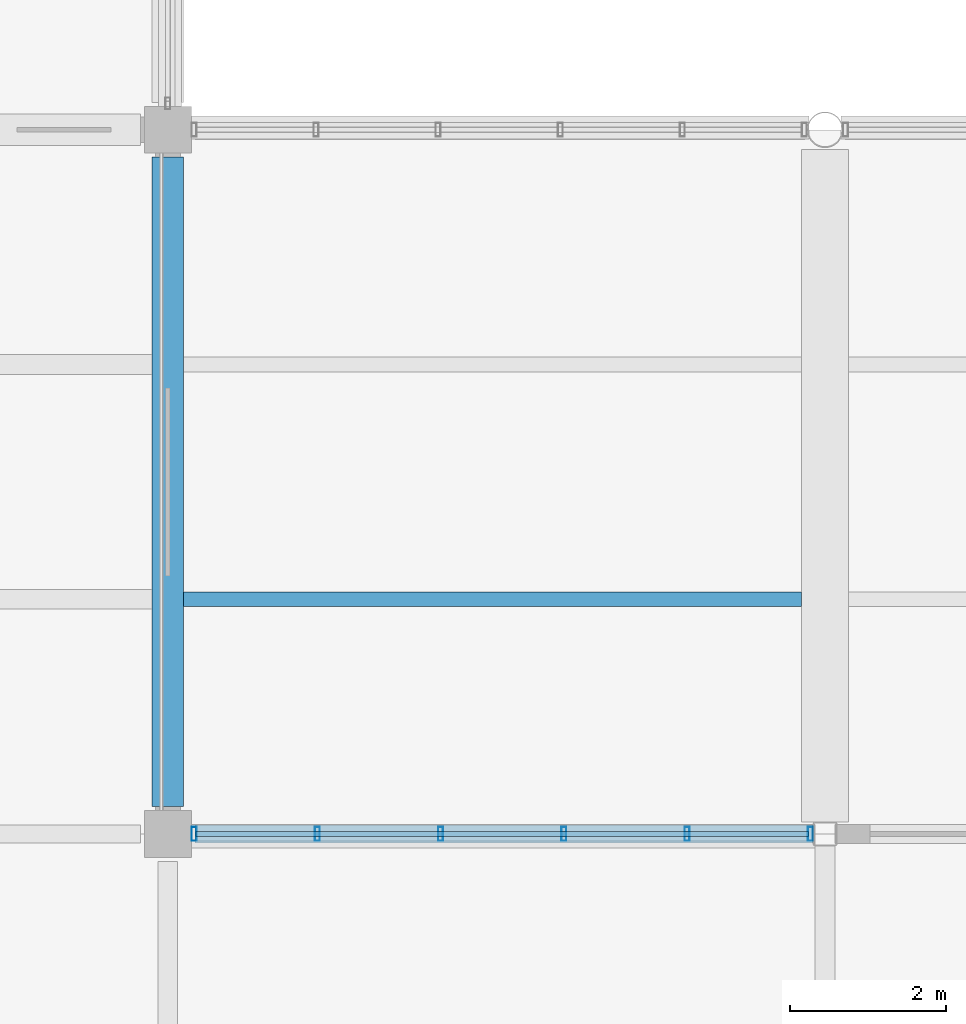
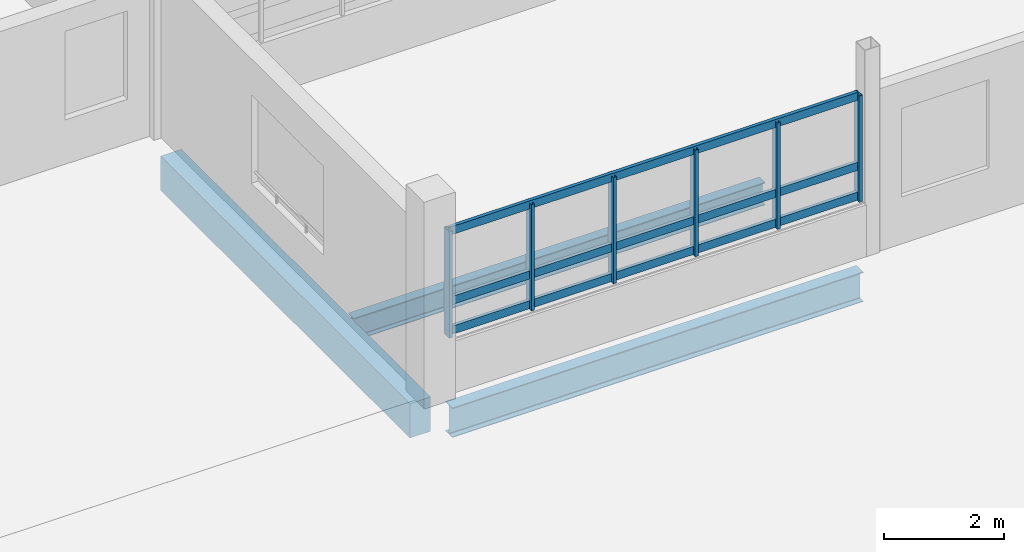
# One storey, part 15 of 101: 9 members, 3 beams, 1 element without a shape of its own.
"""IFC4 building model written with IfcOpenShell, lengths in metres."""

from ifc_helpers import new_model, si_unit, direction, frame, origin, origin_2d, place, context, subcontext, project, spatial, rectangle, hollow_rectangle, i_section, extrude, material, layer, layer_set, material_profile, profile_set, type_object, element, aggregate, save


model = new_model("IFC4")

# Units and contexts
model_context = context("Model", 3, precision=1e-05, world=origin(), true_north=direction((0.0, 1.0)))
body_context = subcontext(model_context, "Body", "Model", "MODEL_VIEW")
ifc_project = project(units=[si_unit("LENGTHUNIT", "METRE"), si_unit("AREAUNIT", "SQUARE_METRE"), si_unit("VOLUMEUNIT", "CUBIC_METRE"), si_unit("PLANEANGLEUNIT", "RADIAN"), si_unit("MASSUNIT", "GRAM", prefix="KILO")], contexts=[model_context])

# Site, building, storey
site_placement = place(None, origin())
site = spatial("IfcSite", under=ifc_project, at=site_placement, CompositionType="ELEMENT")
building_placement = place(site_placement, origin())
building = spatial("IfcBuilding", under=site, at=building_placement, Name="Vireocrest Preparatory School", CompositionType="ELEMENT")
storey_placement = place(building_placement, frame((0.0, 0.0, 4.800048828125)))
storey = spatial("IfcBuildingStorey", under=building, at=storey_placement, Name="L01", CompositionType="ELEMENT", Elevation=4.800048828125)

# Beam
ifc_material_1 = material(Name="Structural steel ASTM A992 Grade 50", Category="steel")
ifc_material_profile_1 = material_profile(ifc_material_1, i_section(OverallWidth=0.18994140625, OverallDepth=0.45703125, WebThickness=0.009033203125, FlangeThickness=0.014404296875, FilletRadius=0.013916015625, at=origin_2d()), Name="W18X50")
ifc_profile_set_1 = profile_set([ifc_material_profile_1], Name="Structural steel ASTM A992 Grade 50")
beam_type_1 = type_object("IfcBeamType", Name="Bridge Floor Joist W18X50", PredefinedType="JOIST", material=ifc_profile_set_1)
beam_1_placement = place(storey_placement, frame((67.39990234375, 21.0, -0.508544921875), z_axis=(1.0, 0.0, 0.0), x_axis=(0.0, 1.0, 0.0)))
element("IfcBeam", 1, at=beam_1_placement, inside=storey, type_object=beam_type_1, Name="Secondary Joist SJ2 L01-0566", PredefinedType="JOIST", context=body_context, shape_type="SweptSolid", body=[
    extrude(i_section(OverallWidth=0.18994140625, OverallDepth=0.45703125, WebThickness=0.009033203125, FlangeThickness=0.014404296875, FilletRadius=0.013916015625, at=origin_2d()), origin(), (0.0, 0.0, 1.0), 7.900146484375),
])

# Curtain wall, members
ifc_material_2 = material(Name="Thermally broken aluminium EN AW-6063-T6", Category="aluminium")
ifc_layer = layer(ifc_material_2, 0.179931640625)
ifc_layer_set = layer_set([ifc_layer], Name="Thermally broken aluminium EN AW-6063-T6")
curtain_wall_type = type_object("IfcCurtainWallType", Name="Court Banded Curtain Wall 8400x3600", PredefinedType="USERDEFINED", material=ifc_layer_set)
curtain_wall_placement = place(storey_placement, origin())
curtain_wall = element("IfcCurtainWall", 2, at=curtain_wall_placement, inside=storey, type_object=curtain_wall_type, Name="Curtain Wall CW01 CW_L01_CW01_0675_0180_059", ObjectType="CURTAIN WALL", PredefinedType="USERDEFINED")
ifc_material_profile_2 = material_profile(ifc_material_2, hollow_rectangle(XDim=0.06494140625, YDim=0.179931640625, WallThickness=0.00390625, at=origin_2d()), Name="ALU 65x180x4")
ifc_profile_set_2 = profile_set([ifc_material_profile_2], Name="Thermally broken aluminium EN AW-6063-T6")
member_type_1 = type_object("IfcMemberType", Name="CW Mullion 65x180x4", PredefinedType="MULLION", material=ifc_profile_set_2)
member_1_placement = place(storey_placement, frame((67.534912109375, 18.0, 1.099853515625), z_axis=(0.0, 0.0, 1.0), x_axis=(1.0, 0.0, 0.0)))
member_1 = element("IfcMember", 3, at=member_1_placement, type_object=member_type_1, Name="CW Mullion ML2 CW_L01_CW01_0675_0180_059-1", PredefinedType="MULLION", context=body_context, shape_type="SweptSolid", body=[
    extrude(hollow_rectangle(XDim=0.06494140625, YDim=0.179931640625, WallThickness=0.00390625, at=origin_2d()), origin(), (0.0, 0.0, 1.0), 2.1611328125),
])
member_2_placement = place(storey_placement, frame((69.110595703125, 18.0, 1.099853515625), z_axis=(0.0, 0.0, 1.0), x_axis=(1.0, 0.0, 0.0)))
member_2 = element("IfcMember", 4, at=member_2_placement, type_object=member_type_1, Name="CW Mullion ML2 CW_L01_CW01_0675_0180_059-2", PredefinedType="MULLION", context=body_context, shape_type="SweptSolid", body=[
    extrude(hollow_rectangle(XDim=0.06494140625, YDim=0.179931640625, WallThickness=0.00390625, at=origin_2d()), origin(), (0.0, 0.0, 1.0), 2.1611328125),
])
member_3_placement = place(storey_placement, frame((70.68603515625, 18.0, 1.099853515625), z_axis=(0.0, 0.0, 1.0), x_axis=(1.0, 0.0, 0.0)))
member_3 = element("IfcMember", 5, at=member_3_placement, type_object=member_type_1, Name="CW Mullion ML2 CW_L01_CW01_0675_0180_059-3", PredefinedType="MULLION", context=body_context, shape_type="SweptSolid", body=[
    extrude(hollow_rectangle(XDim=0.06494140625, YDim=0.179931640625, WallThickness=0.00390625, at=origin_2d()), origin(), (0.0, 0.0, 1.0), 2.1611328125),
])
member_4_placement = place(storey_placement, frame((72.26171875, 18.0, 1.099853515625), z_axis=(0.0, 0.0, 1.0), x_axis=(1.0, 0.0, 0.0)))
member_4 = element("IfcMember", 6, at=member_4_placement, type_object=member_type_1, Name="CW Mullion ML2 CW_L01_CW01_0675_0180_059-4", PredefinedType="MULLION", context=body_context, shape_type="SweptSolid", body=[
    extrude(hollow_rectangle(XDim=0.06494140625, YDim=0.179931640625, WallThickness=0.00390625, at=origin_2d()), origin(), (0.0, 0.0, 1.0), 2.1611328125),
])
member_5_placement = place(storey_placement, frame((73.837158203125, 18.0, 1.099853515625), z_axis=(0.0, 0.0, 1.0), x_axis=(1.0, 0.0, 0.0)))
member_5 = element("IfcMember", 7, at=member_5_placement, type_object=member_type_1, Name="CW Mullion ML2 CW_L01_CW01_0675_0180_059-5", PredefinedType="MULLION", context=body_context, shape_type="SweptSolid", body=[
    extrude(hollow_rectangle(XDim=0.06494140625, YDim=0.179931640625, WallThickness=0.00390625, at=origin_2d()), origin(), (0.0, 0.0, 1.0), 2.1611328125),
])
member_6_placement = place(storey_placement, frame((75.41259765625, 18.0, 1.099853515625), z_axis=(0.0, 0.0, 1.0), x_axis=(1.0, 0.0, 0.0)))
member_6 = element("IfcMember", 8, at=member_6_placement, type_object=member_type_1, Name="CW Mullion ML2 CW_L01_CW01_0675_0180_059-6", PredefinedType="MULLION", context=body_context, shape_type="SweptSolid", body=[
    extrude(hollow_rectangle(XDim=0.06494140625, YDim=0.179931640625, WallThickness=0.00390625, at=origin_2d()), origin(), (0.0, 0.0, 1.0), 2.1611328125),
])
ifc_material_profile_3 = material_profile(ifc_material_2, hollow_rectangle(XDim=0.06494140625, YDim=0.1650390625, WallThickness=0.00390625, at=origin_2d()), Name="ALU 65x165x4")
ifc_profile_set_3 = profile_set([ifc_material_profile_3], Name="Thermally broken aluminium EN AW-6063-T6")
member_type_2 = type_object("IfcMemberType", Name="CW Transom 65x165x4", PredefinedType="USERDEFINED", material=ifc_profile_set_3)
member_7_placement = place(storey_placement, frame((67.56005859375, 18.0, 1.195068359375), z_axis=(1.0, 0.0, 0.0), x_axis=(0.0, 1.0, 0.0)))
member_7 = element("IfcMember", 9, at=member_7_placement, type_object=member_type_2, Name="CW Transom TR2 CW_L01_CW01_0675_0180_059-1", ObjectType="TRANSOM", PredefinedType="USERDEFINED", context=body_context, shape_type="SweptSolid", body=[
    extrude(hollow_rectangle(XDim=0.06494140625, YDim=0.1650390625, WallThickness=0.00390625, at=origin_2d()), origin(), (0.0, 0.0, 1.0), 7.82763671875),
])
member_8_placement = place(storey_placement, frame((67.56005859375, 18.0, 1.800048828125), z_axis=(1.0, 0.0, 0.0), x_axis=(0.0, 1.0, 0.0)))
member_8 = element("IfcMember", 10, at=member_8_placement, type_object=member_type_2, Name="CW Transom TR2 CW_L01_CW01_0675_0180_059-2", ObjectType="TRANSOM", PredefinedType="USERDEFINED", context=body_context, shape_type="SweptSolid", body=[
    extrude(hollow_rectangle(XDim=0.06494140625, YDim=0.1650390625, WallThickness=0.00390625, at=origin_2d()), origin(), (0.0, 0.0, 1.0), 7.82763671875),
])
member_9_placement = place(storey_placement, frame((67.56005859375, 18.0, 3.220947265625), z_axis=(1.0, 0.0, 0.0), x_axis=(0.0, 1.0, 0.0)))
member_9 = element("IfcMember", 11, at=member_9_placement, type_object=member_type_2, Name="CW Transom TR2 CW_L01_CW01_0675_0180_059-3", ObjectType="TRANSOM", PredefinedType="USERDEFINED", context=body_context, shape_type="SweptSolid", body=[
    extrude(hollow_rectangle(XDim=0.06494140625, YDim=0.1650390625, WallThickness=0.00390625, at=origin_2d()), origin(), (0.0, 0.0, 1.0), 7.82763671875),
])
aggregate(curtain_wall, [member_1, member_2, member_3, member_4, member_5, member_6, member_7, member_8, member_9])

# Beams
ifc_material_profile_4 = material_profile(ifc_material_1, i_section(OverallWidth=0.22802734375, OverallDepth=0.60302734375, WebThickness=0.010498046875, FlangeThickness=0.014892578125, FilletRadius=0.01611328125, at=origin_2d()), Name="W24X68")
ifc_profile_set_4 = profile_set([ifc_material_profile_4], Name="Structural steel ASTM A992 Grade 50")
beam_type_2 = type_object("IfcBeamType", Name="Dining Pavilion Roof Girder W24X68", PredefinedType="BEAM", material=ifc_profile_set_4)
beam_2_placement = place(storey_placement, frame((67.550048828125, 18.0, -0.62158203125), z_axis=(1.0, 0.0, 0.0), x_axis=(0.0, 1.0, 0.0)))
element("IfcBeam", 12, at=beam_2_placement, inside=storey, type_object=beam_type_2, Name="Primary Girder SB4 L01-0264", PredefinedType="BEAM", context=body_context, shape_type="SweptSolid", body=[
    extrude(i_section(OverallWidth=0.22802734375, OverallDepth=0.60302734375, WebThickness=0.010498046875, FlangeThickness=0.014892578125, FilletRadius=0.01611328125, at=origin_2d()), origin(), (0.0, 0.0, 1.0), 7.8974609375),
])
ifc_material_3 = material(Name="Concrete 40 MPa", Category="concrete")
ifc_material_profile_5 = material_profile(ifc_material_3, rectangle(XDim=0.39990234375, YDim=0.699951171875, at=origin_2d()), Name="RC 400x700")
ifc_profile_set_5 = profile_set([ifc_material_profile_5], Name="Concrete 40 MPa")
beam_type_3 = type_object("IfcBeamType", Name="RC Corridor Girder 400x700", PredefinedType="BEAM", material=ifc_profile_set_5)
beam_3_placement = place(storey_placement, frame((67.199951171875, 18.35009765625, -0.670166015625), z_axis=(0.0, 1.0, 0.0), x_axis=(-1.0, 0.0, 0.0)))
element("IfcBeam", 13, at=beam_3_placement, inside=storey, type_object=beam_type_3, Name="Primary Girder B08 L01-0415", PredefinedType="BEAM", context=body_context, shape_type="SweptSolid", body=[
    extrude(rectangle(XDim=0.39990234375, YDim=0.699951171875, at=origin_2d()), origin(), (0.0, 0.0, 1.0), 8.2998046875),
])

save(model, "model.ifc")
